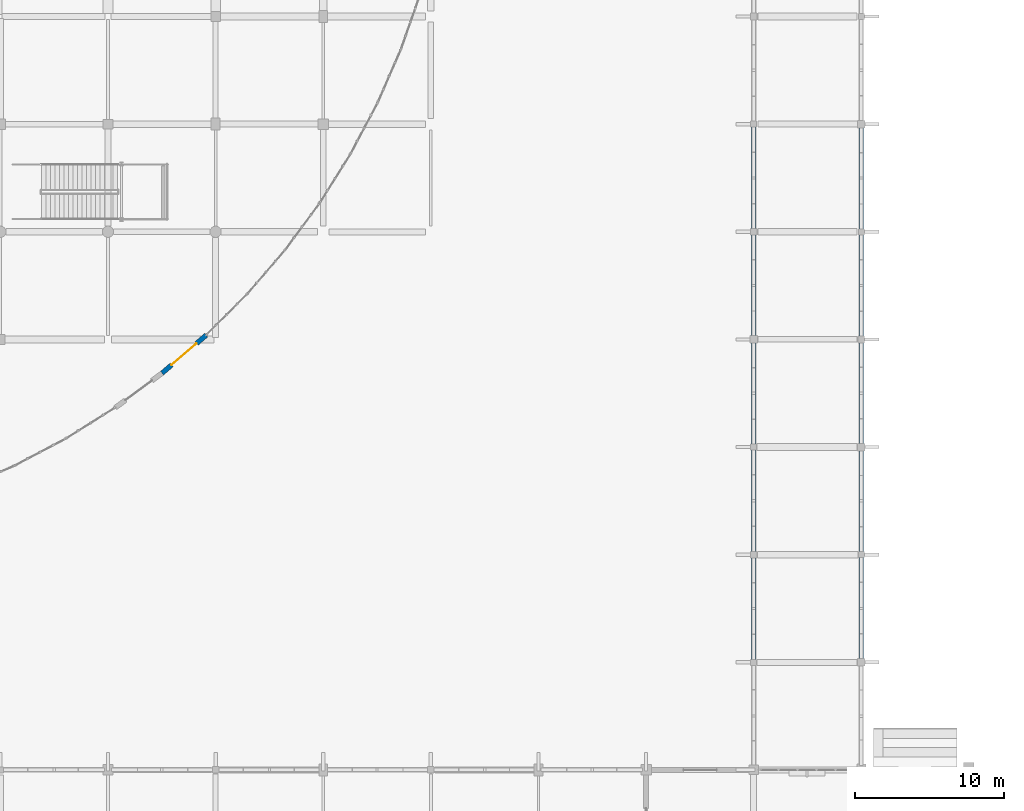
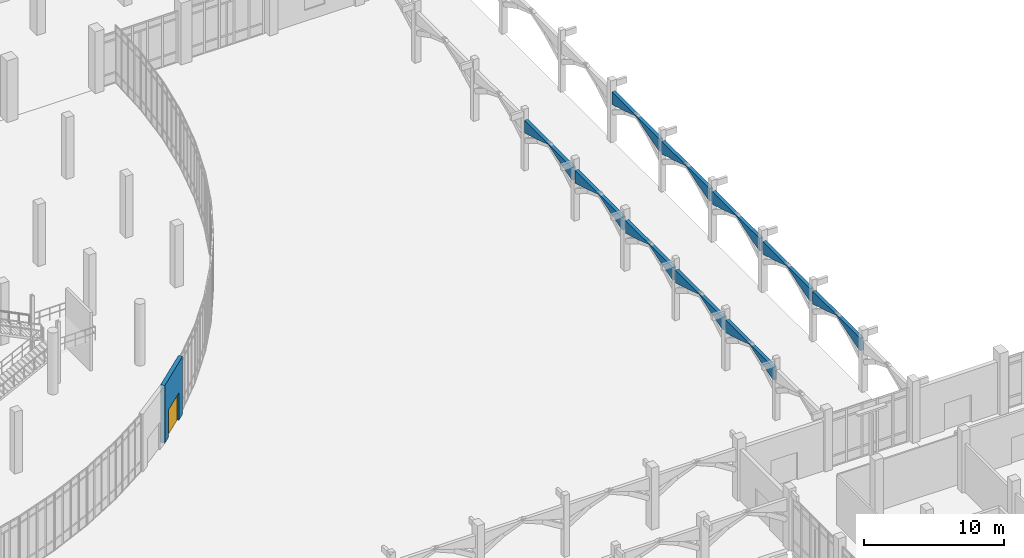
# One storey, part 91 of 110: 11 walls, 1 door, 1 opening.
"""IFC4 building model written with IfcOpenShell, lengths in metres."""

from ifc_helpers import new_model, si_unit, direction, frame, frame_2d, origin, place, context, subcontext, project, spatial, polyline, rectangle, outline, extrude, material, layer, layer_set, type_object, element, fill, save


model = new_model("IFC4")

# Units and contexts
model_context = context("Model", 3, precision=1e-05, world=origin(), true_north=direction((0.0, 1.0)))
body_context = subcontext(model_context, "Body", "Model", "MODEL_VIEW")
ifc_project = project(units=[si_unit("LENGTHUNIT", "METRE"), si_unit("AREAUNIT", "SQUARE_METRE"), si_unit("VOLUMEUNIT", "CUBIC_METRE"), si_unit("PLANEANGLEUNIT", "RADIAN"), si_unit("MASSUNIT", "GRAM", prefix="KILO")], contexts=[model_context])

# Site, building, storey
site_placement = place(None, origin())
site = spatial("IfcSite", under=ifc_project, at=site_placement, CompositionType="ELEMENT")
building_placement = place(site_placement, origin())
building = spatial("IfcBuilding", under=site, at=building_placement, Name="Kalluvel Institute of Natural Sciences", CompositionType="ELEMENT")
storey_placement = place(building_placement, origin())
storey = spatial("IfcBuildingStorey", under=building, at=storey_placement, Name="L00", CompositionType="ELEMENT", Elevation=0.0)

# Walls
ifc_material_1 = material(Name="Sadarahalli Grey Granite Ashlar Concrete M40", Category="masonry")
ifc_layer_1 = layer(ifc_material_1, 0.280029296875)
ifc_layer_set_1 = layer_set([ifc_layer_1], Name="Sadarahalli Grey Granite Ashlar Concrete M40")
wall_type_1 = type_object("IfcWallType", Name="WL-EXT-280", PredefinedType="SOLIDWALL", material=ifc_layer_set_1)
wall_1_placement = place(storey_placement, frame((107.60009765625, 42.965087890625, 3.300048828125), z_axis=(0.0, 0.0, 1.0), x_axis=(0.0, 1.0, 0.0)))
element("IfcWall", 1, at=wall_1_placement, inside=storey, type_object=wall_type_1, Name="Gothic cloister pointed-lancet arch spandrel 21", PredefinedType="SOLIDWALL", context=body_context, shape_type="SweptSolid", body=[
    extrude(outline(polyline([(0.0, 0.0), (1.77978515625, 0.52001953125), (3.422607421875, 1.06005859375), (5.065185546875, 0.52001953125), (6.844970703125, 0.0), (6.844970703125, 1.119873046875), (0.0, 1.119873046875), (0.0, 0.0)])), frame((0.0, 0.14013671875, 0.0), z_axis=(0.0, -1.0, 0.0), x_axis=(1.0, 0.0, 0.0)), (0.0, 0.0, 1.0), 0.280029296875),
])
wall_2_placement = place(storey_placement, frame((114.800048828125, 43.014892578125, 3.300048828125), z_axis=(0.0, 0.0, 1.0), x_axis=(0.0, 1.0, 0.0)))
element("IfcWall", 2, at=wall_2_placement, inside=storey, type_object=wall_type_1, Name="Gothic cloister pointed-lancet arch spandrel 22", PredefinedType="SOLIDWALL", context=body_context, shape_type="SweptSolid", body=[
    extrude(outline(polyline([(0.0, 0.0), (1.773193359375, 0.52001953125), (3.409912109375, 1.06005859375), (5.046875, 0.52001953125), (6.820068359375, 0.0), (6.820068359375, 1.119873046875), (0.0, 1.119873046875), (0.0, 0.0)])), frame((0.0, 0.14013671875, 0.0), z_axis=(0.0, -1.0, 0.0), x_axis=(1.0, 0.0, 0.0)), (0.0, 0.0, 1.0), 0.280029296875),
])
wall_3_placement = place(storey_placement, frame((107.60009765625, 50.18994140625, 3.300048828125), z_axis=(0.0, 0.0, 1.0), x_axis=(0.0, 1.0, 0.0)))
element("IfcWall", 3, at=wall_3_placement, inside=storey, type_object=wall_type_1, Name="Gothic cloister pointed-lancet arch spandrel 23", PredefinedType="SOLIDWALL", context=body_context, shape_type="SweptSolid", body=[
    extrude(outline(polyline([(0.0, 0.0), (1.77978515625, 0.52001953125), (3.422607421875, 1.06005859375), (5.065185546875, 0.52001953125), (6.844970703125, 0.0), (6.844970703125, 1.119873046875), (0.0, 1.119873046875), (0.0, 0.0)])), frame((0.0, 0.14013671875, 0.0), z_axis=(0.0, -1.0, 0.0), x_axis=(1.0, 0.0, 0.0)), (0.0, 0.0, 1.0), 0.280029296875),
])
for number, where, z_axis, x_axis, name in (
    (4, (114.800048828125, 50.1650390625, 3.300048828125), (0.0, 0.0, 1.0), (0.0, 1.0, 0.0), "Gothic cloister pointed-lancet arch spandrel 24"),
    (5, (107.60009765625, 57.364990234375, 3.300048828125), (0.0, 0.0, 1.0), (0.0, 1.0, 0.0), "Gothic cloister pointed-lancet arch spandrel 25"),
):
    element("IfcWall", number, at=place(storey_placement, frame(where, z_axis=z_axis, x_axis=x_axis)), inside=storey, type_object=wall_type_1, Name=name, PredefinedType="SOLIDWALL", context=body_context, shape_type="SweptSolid", body=[
        extrude(outline(polyline([(0.0, 0.0), (1.773193359375, 0.52001953125), (3.409912109375, 1.06005859375), (5.046875, 0.52001953125), (6.820068359375, 0.0), (6.820068359375, 1.119873046875), (0.0, 1.119873046875), (0.0, 0.0)])), frame((0.0, 0.14013671875, 0.0), z_axis=(0.0, -1.0, 0.0), x_axis=(1.0, 0.0, 0.0)), (0.0, 0.0, 1.0), 0.280029296875),
    ])
for number, where, z_axis, x_axis, name in (
    (6, (114.800048828125, 57.4150390625, 3.300048828125), (0.0, 0.0, 1.0), (0.0, 1.0, 0.0), "Gothic cloister pointed-lancet arch spandrel 26"),
    (7, (107.60009765625, 64.614990234375, 3.300048828125), (0.0, 0.0, 1.0), (0.0, 1.0, 0.0), "Gothic cloister pointed-lancet arch spandrel 27"),
):
    element("IfcWall", number, at=place(storey_placement, frame(where, z_axis=z_axis, x_axis=x_axis)), inside=storey, type_object=wall_type_1, Name=name, PredefinedType="SOLIDWALL", context=body_context, shape_type="SweptSolid", body=[
        extrude(outline(polyline([(0.0, 0.0), (1.7666015625, 0.52001953125), (3.3974609375, 1.06005859375), (5.0283203125, 0.52001953125), (6.794921875, 0.0), (6.794921875, 1.119873046875), (0.0, 1.119873046875), (0.0, 0.0)])), frame((0.0, 0.14013671875, 0.0), z_axis=(0.0, -1.0, 0.0), x_axis=(1.0, 0.0, 0.0)), (0.0, 0.0, 1.0), 0.280029296875),
    ])
for number, where, z_axis, x_axis, name in (
    (8, (114.800048828125, 64.590087890625, 3.300048828125), (0.0, 0.0, 1.0), (0.0, 1.0, 0.0), "Gothic cloister pointed-lancet arch spandrel 28"),
    (9, (107.60009765625, 71.7900390625, 3.300048828125), (0.0, 0.0, 1.0), (0.0, 1.0, 0.0), "Gothic cloister pointed-lancet arch spandrel 29"),
):
    element("IfcWall", number, at=place(storey_placement, frame(where, z_axis=z_axis, x_axis=x_axis)), inside=storey, type_object=wall_type_1, Name=name, PredefinedType="SOLIDWALL", context=body_context, shape_type="SweptSolid", body=[
        extrude(outline(polyline([(0.0, 0.0), (1.77978515625, 0.52001953125), (3.422607421875, 1.06005859375), (5.065185546875, 0.52001953125), (6.844970703125, 0.0), (6.844970703125, 1.119873046875), (0.0, 1.119873046875), (0.0, 0.0)])), frame((0.0, 0.14013671875, 0.0), z_axis=(0.0, -1.0, 0.0), x_axis=(1.0, 0.0, 0.0)), (0.0, 0.0, 1.0), 0.280029296875),
    ])
wall_4_placement = place(storey_placement, frame((114.800048828125, 71.764892578125, 3.300048828125), z_axis=(0.0, 0.0, 1.0), x_axis=(0.0, 1.0, 0.0)))
element("IfcWall", 10, at=wall_4_placement, inside=storey, type_object=wall_type_1, Name="Gothic cloister pointed-lancet arch spandrel 30", PredefinedType="SOLIDWALL", context=body_context, shape_type="SweptSolid", body=[
    extrude(outline(polyline([(0.0, 0.0), (1.773193359375, 0.52001953125), (3.409912109375, 1.06005859375), (5.046875, 0.52001953125), (6.820068359375, 0.0), (6.820068359375, 1.119873046875), (0.0, 1.119873046875), (0.0, 0.0)])), frame((0.0, 0.14013671875, 0.0), z_axis=(0.0, -1.0, 0.0), x_axis=(1.0, 0.0, 0.0)), (0.0, 0.0, 1.0), 0.280029296875),
])

# Wall, opening, door
ifc_layer_2 = layer(ifc_material_1, 0.320068359375)
ifc_layer_set_2 = layer_set([ifc_layer_2], Name="Sadarahalli Grey Granite Ashlar Concrete M40")
wall_type_2 = type_object("IfcWallType", Name="WL-EXT-320", PredefinedType="SOLIDWALL", material=ifc_layer_set_2)
wall_5_placement = place(storey_placement, frame((68.021484375, 62.144775390625, 0.0), z_axis=(0.0, 0.0, 1.0), x_axis=(0.757961063875, 0.652299797371, 0.0)))
wall_5 = element("IfcWall", 11, at=wall_5_placement, inside=storey, type_object=wall_type_2, Name="L00 Sadarahalli granite exterior wall WL-EXT-L00-0213", PredefinedType="SOLIDWALL", context=body_context, shape_type="SweptSolid", body=[
    extrude(rectangle(XDim=3.888671875, YDim=0.320068359375, at=frame_2d((1.9443359375, 0.0))), origin(), (0.0, 0.0, 1.0), 5.050048828125),
])
opening_placement = place(wall_5_placement, frame((0.84423828125, 0.0, 0.0)))
opening = element("IfcOpeningElement", 12, at=opening_placement, cuts=wall_5, Name="Opening E6", PredefinedType="OPENING", context=body_context, shape_type="SweptSolid", body=[
    extrude(rectangle(XDim=2.199951171875, YDim=2.39990234375, at=frame_2d((1.10009765625, 1.199951171875))), frame((0.0, 0.169921875, 0.0), z_axis=(0.0, -1.0, 0.0), x_axis=(1.0, 0.0, 0.0)), (0.0, 0.0, 1.0), 0.340087890625),
])
ifc_material_2 = material(Name="Aluminium AW-6063 T6", Category="aluminium")
door_type = type_object("IfcDoorType", Name="DR-EXT-2200", OperationType="NOTDEFINED", PredefinedType="DOOR", material=ifc_material_2)
door_placement = place(opening_placement, origin())
door = element("IfcDoor", 13, at=door_placement, inside=storey, type_object=door_type, Name="Pedestrian exit door E6", OperationType="DOUBLE_DOOR_SINGLE_SWING", OverallHeight=2.39990234375, OverallWidth=2.199951171875, PredefinedType="DOOR", context=body_context, shape_type="SweptSolid", body=[
    extrude(rectangle(XDim=2.199951171875, YDim=2.39990234375, at=frame_2d((1.10009765625, 1.199951171875))), frame((0.0, 0.02490234375, 0.0), z_axis=(0.0, -1.0, 0.0), x_axis=(1.0, 0.0, 0.0)), (0.0, 0.0, 1.0), 0.050048828125),
])
fill(opening, door)

save(model, "model.ifc")
